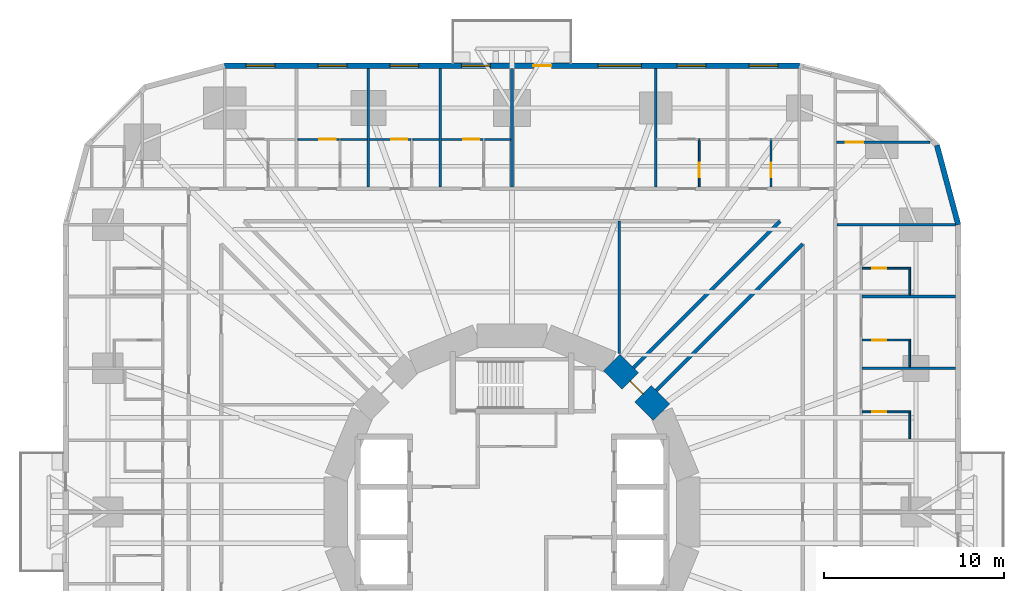
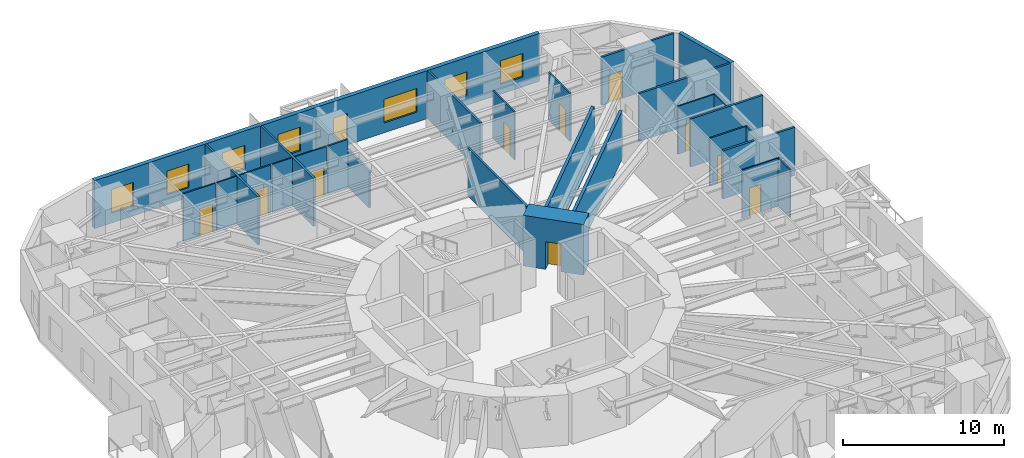
# One storey, part 11 of 14: 28 walls, 11 doors, 7 windows, 18 openings.
"""IFC4 building model written with IfcOpenShell, lengths in metres."""

from ifc_helpers import new_model, si_unit, direction, frame, frame_2d, origin, place, context, subcontext, project, spatial, rectangle, extrude, material, layer, layer_set, type_object, element, fill, save


model = new_model("IFC4")

# Units and contexts
model_context = context("Model", 3, precision=1e-05, world=origin(), true_north=direction((0.0, 1.0)))
body_context = subcontext(model_context, "Body", "Model", "MODEL_VIEW")
ifc_project = project(units=[si_unit("LENGTHUNIT", "METRE"), si_unit("AREAUNIT", "SQUARE_METRE"), si_unit("VOLUMEUNIT", "CUBIC_METRE"), si_unit("PLANEANGLEUNIT", "RADIAN"), si_unit("MASSUNIT", "GRAM", prefix="KILO")], contexts=[model_context])

# Site, building, storey
site_placement = place(None, origin())
site = spatial("IfcSite", under=ifc_project, at=site_placement, CompositionType="ELEMENT")
building_placement = place(site_placement, origin())
building = spatial("IfcBuilding", under=site, at=building_placement, Name="Nakasero Lantern House", CompositionType="ELEMENT")
storey_placement = place(building_placement, frame((0.0, 0.0, 19.85009765625)))
storey = spatial("IfcBuildingStorey", under=building, at=storey_placement, Name="L04", CompositionType="ELEMENT", Elevation=19.85009765625)

# Wall, opening, door
ifc_material_1 = material(Name="Concrete C50/60", Category="concrete")
ifc_layer_1 = layer(ifc_material_1, 1.300048828125)
ifc_layer_set_1 = layer_set([ifc_layer_1], Name="Core wall 1300")
wall_type_1 = type_object("IfcWallType", Name="Core wall 1300", PredefinedType="SHEAR", material=ifc_layer_set_1)
wall_1_placement = place(storey_placement, frame((8.314697265625, 5.5556640625, 0.0), z_axis=(0.0, 0.0, 1.0), x_axis=(-0.707106781187, 0.707106781187, 0.0)))
wall_1 = element("IfcWall", 1, at=wall_1_placement, inside=storey, type_object=wall_type_1, Name="Core wall L04 facet 2", PredefinedType="SHEAR", context=body_context, shape_type="SweptSolid", body=[
    extrude(rectangle(XDim=3.90185546875, YDim=1.300048828125, at=frame_2d((1.950927734375, 0.0))), origin(), (0.0, 0.0, 1.0), 3.849853515625),
])
opening_1_placement = place(wall_1_placement, frame((1.450927734375, 0.0, 0.0)))
opening_1 = element("IfcOpeningElement", 2, at=opening_1_placement, cuts=wall_1, Name="Opening D05", PredefinedType="OPENING", context=body_context, shape_type="SweptSolid", body=[
    extrude(rectangle(XDim=1.0, YDim=2.10009765625, at=frame_2d((0.5, 1.050048828125))), frame((0.0, 0.669921875, 0.0), z_axis=(0.0, -1.0, 0.0), x_axis=(1.0, 0.0, 0.0)), (0.0, 0.0, 1.0), 1.340087890625),
])
ifc_material_2 = material(Name="Timber C24", Category="wood")
door_type_1 = type_object("IfcDoorType", Name="Core door FD60S 1000", OperationType="SINGLE_SWING_LEFT", PredefinedType="DOOR", material=ifc_material_2)
door_1_placement = place(opening_1_placement, origin())
door_1 = element("IfcDoor", 3, at=door_1_placement, inside=storey, type_object=door_type_1, Name="Door L04 D-CORE02", OperationType="SINGLE_SWING_LEFT", OverallHeight=2.10009765625, OverallWidth=1.0, PredefinedType="DOOR", context=body_context, shape_type="SweptSolid", body=[
    extrude(rectangle(XDim=1.0, YDim=2.10009765625, at=frame_2d((0.5, 1.050048828125))), frame((0.0, 0.02490234375, 0.0), z_axis=(0.0, -1.0, 0.0), x_axis=(1.0, 0.0, 0.0)), (0.0, 0.0, 1.0), 0.050048828125),
])
fill(opening_1, door_1)

# Walls
ifc_material_3 = material(Name="Blockwork", Category="masonry")
ifc_layer_2 = layer(ifc_material_3, 0.199951171875)
ifc_layer_set_2 = layer_set([ifc_layer_2], Name="Corridor wall 200")
wall_type_2 = type_object("IfcWallType", Name="Corridor wall 200", PredefinedType="PARTITIONING", material=ifc_layer_set_2)
for number, where, z_axis, x_axis, name in (
    (4, (6.758544921875, 8.03125, 0.0), (0.0, 0.0, 1.0), (0.707106781187, 0.707106781187, 0.0), "Corridor wall L04 PS02a"),
    (5, (8.03125, 6.758544921875, 0.0), (0.0, 0.0, 1.0), (0.707106781187, 0.707106781187, 0.0), "Corridor wall L04 PS02b"),
):
    element("IfcWall", number, at=place(storey_placement, frame(where, z_axis=z_axis, x_axis=x_axis)), inside=storey, type_object=wall_type_2, Name=name, PredefinedType="PARTITIONING", context=body_context, shape_type="SweptSolid", body=[
        extrude(rectangle(XDim=11.55224609375, YDim=0.199951171875, at=frame_2d((5.776123046875, 0.0))), origin(), (0.0, 0.0, 1.0), 3.64990234375),
    ])

# Wall, opening, door
ifc_material_4 = material(Name="Blockwork", Category="masonry")
ifc_layer_3 = layer(ifc_material_4, 0.10009765625)
ifc_layer_set_3 = layer_set([ifc_layer_3], Name="En-suite wall 100")
wall_type_3 = type_object("IfcWallType", Name="En-suite wall 100", PredefinedType="PARTITIONING", material=ifc_layer_set_3)
wall_2_placement = place(storey_placement, frame((19.5, 5.574951171875, 0.0), z_axis=(0.0, 0.0, 1.0), x_axis=(1.0, 0.0, 0.0)))
wall_2 = element("IfcWall", 6, at=wall_2_placement, inside=storey, type_object=wall_type_3, Name="En-suite wall L04 ES0-06", PredefinedType="PARTITIONING", context=body_context, shape_type="SweptSolid", body=[
    extrude(rectangle(XDim=2.699951171875, YDim=0.10009765625, at=frame_2d((1.35009765625, 0.0))), origin(), (0.0, 0.0, 1.0), 3.64990234375),
])
opening_2_placement = place(wall_2_placement, frame((0.550048828125, 0.0, 0.0)))
opening_2 = element("IfcOpeningElement", 7, at=opening_2_placement, cuts=wall_2, Name="Opening D02", PredefinedType="OPENING", context=body_context, shape_type="SweptSolid", body=[
    extrude(rectangle(XDim=0.800048828125, YDim=2.10009765625, at=frame_2d((0.39990234375, 1.050048828125))), frame((0.0, 0.070068359375, 0.0), z_axis=(0.0, -1.0, 0.0), x_axis=(1.0, 0.0, 0.0)), (0.0, 0.0, 1.0), 0.14013671875),
])
ifc_material_5 = material(Name="Timber C24", Category="wood")
door_type_2 = type_object("IfcDoorType", Name="En-suite door 800", OperationType="SINGLE_SWING_RIGHT", PredefinedType="DOOR", material=ifc_material_5)
door_2_placement = place(opening_2_placement, origin())
door_2 = element("IfcDoor", 8, at=door_2_placement, inside=storey, type_object=door_type_2, Name="Door L04 DE0-06", OperationType="SINGLE_SWING_LEFT", OverallHeight=2.10009765625, OverallWidth=0.800048828125, PredefinedType="DOOR", context=body_context, shape_type="SweptSolid", body=[
    extrude(rectangle(XDim=0.800048828125, YDim=2.10009765625, at=frame_2d((0.39990234375, 1.050048828125))), frame((0.0, 0.02490234375, 0.0), z_axis=(0.0, -1.0, 0.0), x_axis=(1.0, 0.0, 0.0)), (0.0, 0.0, 1.0), 0.050048828125),
])
fill(opening_2, door_2)

# Wall
wall_3_placement = place(storey_placement, frame((22.14990234375, 4.074951171875, 0.0), z_axis=(0.0, 0.0, 1.0), x_axis=(0.0, 1.0, 0.0)))
element("IfcWall", 9, at=wall_3_placement, inside=storey, type_object=wall_type_3, Name="En-suite wall L04 EE0-06", PredefinedType="PARTITIONING", context=body_context, shape_type="SweptSolid", body=[
    extrude(rectangle(XDim=1.449951171875, YDim=0.10009765625, at=frame_2d((0.72509765625, 0.0))), origin(), (0.0, 0.0, 1.0), 3.64990234375),
])

# Wall, opening, door
wall_4_placement = place(storey_placement, frame((19.5, 9.574951171875, 0.0), z_axis=(0.0, 0.0, 1.0), x_axis=(1.0, 0.0, 0.0)))
wall_4 = element("IfcWall", 10, at=wall_4_placement, inside=storey, type_object=wall_type_3, Name="En-suite wall L04 ES0-07", PredefinedType="PARTITIONING", context=body_context, shape_type="SweptSolid", body=[
    extrude(rectangle(XDim=2.699951171875, YDim=0.10009765625, at=frame_2d((1.35009765625, 0.0))), origin(), (0.0, 0.0, 1.0), 3.64990234375),
])
opening_3_placement = place(wall_4_placement, frame((0.550048828125, 0.0, 0.0)))
opening_3 = element("IfcOpeningElement", 11, at=opening_3_placement, cuts=wall_4, Name="Opening D02", PredefinedType="OPENING", context=body_context, shape_type="SweptSolid", body=[
    extrude(rectangle(XDim=0.800048828125, YDim=2.10009765625, at=frame_2d((0.39990234375, 1.050048828125))), frame((0.0, 0.070068359375, 0.0), z_axis=(0.0, -1.0, 0.0), x_axis=(1.0, 0.0, 0.0)), (0.0, 0.0, 1.0), 0.14013671875),
])
door_3_placement = place(opening_3_placement, origin())
door_3 = element("IfcDoor", 12, at=door_3_placement, inside=storey, type_object=door_type_2, Name="Door L04 DE0-07", OperationType="SINGLE_SWING_LEFT", OverallHeight=2.10009765625, OverallWidth=0.800048828125, PredefinedType="DOOR", context=body_context, shape_type="SweptSolid", body=[
    extrude(rectangle(XDim=0.800048828125, YDim=2.10009765625, at=frame_2d((0.39990234375, 1.050048828125))), frame((0.0, 0.02490234375, 0.0), z_axis=(0.0, -1.0, 0.0), x_axis=(1.0, 0.0, 0.0)), (0.0, 0.0, 1.0), 0.050048828125),
])
fill(opening_3, door_3)

# Wall
wall_5_placement = place(storey_placement, frame((22.14990234375, 8.074951171875, 0.0), z_axis=(0.0, 0.0, 1.0), x_axis=(0.0, 1.0, 0.0)))
element("IfcWall", 13, at=wall_5_placement, inside=storey, type_object=wall_type_3, Name="En-suite wall L04 EE0-07", PredefinedType="PARTITIONING", context=body_context, shape_type="SweptSolid", body=[
    extrude(rectangle(XDim=1.449951171875, YDim=0.10009765625, at=frame_2d((0.72509765625, 0.0))), origin(), (0.0, 0.0, 1.0), 3.64990234375),
])

# Wall, opening, door
wall_6_placement = place(storey_placement, frame((19.5, 13.574951171875, 0.0), z_axis=(0.0, 0.0, 1.0), x_axis=(1.0, 0.0, 0.0)))
wall_6 = element("IfcWall", 14, at=wall_6_placement, inside=storey, type_object=wall_type_3, Name="En-suite wall L04 ES0-08", PredefinedType="PARTITIONING", context=body_context, shape_type="SweptSolid", body=[
    extrude(rectangle(XDim=2.699951171875, YDim=0.10009765625, at=frame_2d((1.35009765625, 0.0))), origin(), (0.0, 0.0, 1.0), 3.64990234375),
])
opening_4_placement = place(wall_6_placement, frame((0.550048828125, 0.0, 0.0)))
opening_4 = element("IfcOpeningElement", 15, at=opening_4_placement, cuts=wall_6, Name="Opening D02", PredefinedType="OPENING", context=body_context, shape_type="SweptSolid", body=[
    extrude(rectangle(XDim=0.800048828125, YDim=2.10009765625, at=frame_2d((0.39990234375, 1.050048828125))), frame((0.0, 0.070068359375, 0.0), z_axis=(0.0, -1.0, 0.0), x_axis=(1.0, 0.0, 0.0)), (0.0, 0.0, 1.0), 0.14013671875),
])
door_4_placement = place(opening_4_placement, origin())
door_4 = element("IfcDoor", 16, at=door_4_placement, inside=storey, type_object=door_type_2, Name="Door L04 DE0-08", OperationType="SINGLE_SWING_LEFT", OverallHeight=2.10009765625, OverallWidth=0.800048828125, PredefinedType="DOOR", context=body_context, shape_type="SweptSolid", body=[
    extrude(rectangle(XDim=0.800048828125, YDim=2.10009765625, at=frame_2d((0.39990234375, 1.050048828125))), frame((0.0, 0.02490234375, 0.0), z_axis=(0.0, -1.0, 0.0), x_axis=(1.0, 0.0, 0.0)), (0.0, 0.0, 1.0), 0.050048828125),
])
fill(opening_4, door_4)

# Wall
wall_7_placement = place(storey_placement, frame((22.14990234375, 12.074951171875, 0.0), z_axis=(0.0, 0.0, 1.0), x_axis=(0.0, 1.0, 0.0)))
element("IfcWall", 17, at=wall_7_placement, inside=storey, type_object=wall_type_3, Name="En-suite wall L04 EE0-08", PredefinedType="PARTITIONING", context=body_context, shape_type="SweptSolid", body=[
    extrude(rectangle(XDim=1.449951171875, YDim=0.10009765625, at=frame_2d((0.72509765625, 0.0))), origin(), (0.0, 0.0, 1.0), 3.64990234375),
])

# Wall, opening, door
wall_8_placement = place(storey_placement, frame((14.425048828125, 18.10009765625, 0.0), z_axis=(0.0, 0.0, 1.0), x_axis=(0.0, 1.0, 0.0)))
wall_8 = element("IfcWall", 18, at=wall_8_placement, inside=storey, type_object=wall_type_3, Name="En-suite wall L04 ES1-01", PredefinedType="PARTITIONING", context=body_context, shape_type="SweptSolid", body=[
    extrude(rectangle(XDim=2.699951171875, YDim=0.10009765625, at=frame_2d((1.35009765625, 0.0))), origin(), (0.0, 0.0, 1.0), 3.64990234375),
])
opening_5_placement = place(wall_8_placement, frame((0.550048828125, 0.0, 0.0)))
opening_5 = element("IfcOpeningElement", 19, at=opening_5_placement, cuts=wall_8, Name="Opening D02", PredefinedType="OPENING", context=body_context, shape_type="SweptSolid", body=[
    extrude(rectangle(XDim=0.800048828125, YDim=2.10009765625, at=frame_2d((0.39990234375, 1.050048828125))), frame((0.0, 0.070068359375, 0.0), z_axis=(0.0, -1.0, 0.0), x_axis=(1.0, 0.0, 0.0)), (0.0, 0.0, 1.0), 0.14013671875),
])
door_5_placement = place(opening_5_placement, origin())
door_5 = element("IfcDoor", 20, at=door_5_placement, inside=storey, type_object=door_type_2, Name="Door L04 DE1-01", OperationType="SINGLE_SWING_LEFT", OverallHeight=2.10009765625, OverallWidth=0.800048828125, PredefinedType="DOOR", context=body_context, shape_type="SweptSolid", body=[
    extrude(rectangle(XDim=0.800048828125, YDim=2.10009765625, at=frame_2d((0.39990234375, 1.050048828125))), frame((0.0, 0.02490234375, 0.0), z_axis=(0.0, -1.0, 0.0), x_axis=(1.0, 0.0, 0.0)), (0.0, 0.0, 1.0), 0.050048828125),
])
fill(opening_5, door_5)

wall_9_placement = place(storey_placement, frame((10.425048828125, 18.10009765625, 0.0), z_axis=(0.0, 0.0, 1.0), x_axis=(0.0, 1.0, 0.0)))
wall_9 = element("IfcWall", 21, at=wall_9_placement, inside=storey, type_object=wall_type_3, Name="En-suite wall L04 ES1-02", PredefinedType="PARTITIONING", context=body_context, shape_type="SweptSolid", body=[
    extrude(rectangle(XDim=2.699951171875, YDim=0.10009765625, at=frame_2d((1.35009765625, 0.0))), origin(), (0.0, 0.0, 1.0), 3.64990234375),
])
opening_6_placement = place(wall_9_placement, frame((0.550048828125, 0.0, 0.0)))
opening_6 = element("IfcOpeningElement", 22, at=opening_6_placement, cuts=wall_9, Name="Opening D02", PredefinedType="OPENING", context=body_context, shape_type="SweptSolid", body=[
    extrude(rectangle(XDim=0.800048828125, YDim=2.10009765625, at=frame_2d((0.39990234375, 1.050048828125))), frame((0.0, 0.070068359375, 0.0), z_axis=(0.0, -1.0, 0.0), x_axis=(1.0, 0.0, 0.0)), (0.0, 0.0, 1.0), 0.14013671875),
])
door_6_placement = place(opening_6_placement, origin())
door_6 = element("IfcDoor", 23, at=door_6_placement, inside=storey, type_object=door_type_2, Name="Door L04 DE1-02", OperationType="SINGLE_SWING_LEFT", OverallHeight=2.10009765625, OverallWidth=0.800048828125, PredefinedType="DOOR", context=body_context, shape_type="SweptSolid", body=[
    extrude(rectangle(XDim=0.800048828125, YDim=2.10009765625, at=frame_2d((0.39990234375, 1.050048828125))), frame((0.0, 0.02490234375, 0.0), z_axis=(0.0, -1.0, 0.0), x_axis=(1.0, 0.0, 0.0)), (0.0, 0.0, 1.0), 0.050048828125),
])
fill(opening_6, door_6)

# Walls
for number, where, z_axis, x_axis, name in (
    (24, (-0.074951171875, 20.75, 0.0), (0.0, 0.0, 1.0), (-1.0, 0.0, 0.0), "En-suite wall L04 EE1-05"),
    (25, (-4.074951171875, 20.75, 0.0), (0.0, 0.0, 1.0), (-1.0, 0.0, 0.0), "En-suite wall L04 EE1-06"),
    (26, (-8.074951171875, 20.75, 0.0), (0.0, 0.0, 1.0), (-1.0, 0.0, 0.0), "En-suite wall L04 EE1-07"),
):
    element("IfcWall", number, at=place(storey_placement, frame(where, z_axis=z_axis, x_axis=x_axis)), inside=storey, type_object=wall_type_3, Name=name, PredefinedType="PARTITIONING", context=body_context, shape_type="SweptSolid", body=[
        extrude(rectangle(XDim=1.449951171875, YDim=0.10009765625, at=frame_2d((0.72509765625, 0.0))), origin(), (0.0, 0.0, 1.0), 3.64990234375),
    ])

# Wall, opening, door
wall_10_placement = place(storey_placement, frame((-1.625, 20.75, 0.0), z_axis=(0.0, 0.0, 1.0), x_axis=(-1.0, 0.0, 0.0)))
wall_10 = element("IfcWall", 27, at=wall_10_placement, inside=storey, type_object=wall_type_3, Name="En-suite wall L04 EL1-05", PredefinedType="PARTITIONING", context=body_context, shape_type="SweptSolid", body=[
    extrude(rectangle(XDim=2.300048828125, YDim=0.10009765625, at=frame_2d((1.14990234375, 0.0))), origin(), (0.0, 0.0, 1.0), 3.64990234375),
])
opening_7_placement = place(wall_10_placement, frame((0.199951171875, 0.0, 0.0)))
opening_7 = element("IfcOpeningElement", 28, at=opening_7_placement, cuts=wall_10, Name="Opening D17", PredefinedType="OPENING", context=body_context, shape_type="SweptSolid", body=[
    extrude(rectangle(XDim=0.89990234375, YDim=2.10009765625, at=frame_2d((0.449951171875, 1.050048828125))), frame((0.0, 0.070068359375, 0.0), z_axis=(0.0, -1.0, 0.0), x_axis=(1.0, 0.0, 0.0)), (0.0, 0.0, 1.0), 0.14013671875),
])
ifc_material_6 = material(Name="Timber C24", Category="wood")
door_type_3 = type_object("IfcDoorType", Name="Bedroom door FD30S 900", OperationType="SINGLE_SWING_LEFT", PredefinedType="DOOR", material=ifc_material_6)
door_7_placement = place(opening_7_placement, origin())
door_7 = element("IfcDoor", 29, at=door_7_placement, inside=storey, type_object=door_type_3, Name="Door L04 DL1-05", OperationType="SINGLE_SWING_LEFT", OverallHeight=2.10009765625, OverallWidth=0.89990234375, PredefinedType="DOOR", context=body_context, shape_type="SweptSolid", body=[
    extrude(rectangle(XDim=0.89990234375, YDim=2.10009765625, at=frame_2d((0.449951171875, 1.050048828125))), frame((0.0, 0.02490234375, 0.0), z_axis=(0.0, -1.0, 0.0), x_axis=(1.0, 0.0, 0.0)), (0.0, 0.0, 1.0), 0.050048828125),
])
fill(opening_7, door_7)

wall_11_placement = place(storey_placement, frame((-5.625, 20.75, 0.0), z_axis=(0.0, 0.0, 1.0), x_axis=(-1.0, 0.0, 0.0)))
wall_11 = element("IfcWall", 30, at=wall_11_placement, inside=storey, type_object=wall_type_3, Name="En-suite wall L04 EL1-06", PredefinedType="PARTITIONING", context=body_context, shape_type="SweptSolid", body=[
    extrude(rectangle(XDim=2.300048828125, YDim=0.10009765625, at=frame_2d((1.14990234375, 0.0))), origin(), (0.0, 0.0, 1.0), 3.64990234375),
])
opening_8_placement = place(wall_11_placement, frame((0.199951171875, 0.0, 0.0)))
opening_8 = element("IfcOpeningElement", 31, at=opening_8_placement, cuts=wall_11, Name="Opening D17", PredefinedType="OPENING", context=body_context, shape_type="SweptSolid", body=[
    extrude(rectangle(XDim=0.89990234375, YDim=2.10009765625, at=frame_2d((0.449951171875, 1.050048828125))), frame((0.0, 0.070068359375, 0.0), z_axis=(0.0, -1.0, 0.0), x_axis=(1.0, 0.0, 0.0)), (0.0, 0.0, 1.0), 0.14013671875),
])
door_8_placement = place(opening_8_placement, origin())
door_8 = element("IfcDoor", 32, at=door_8_placement, inside=storey, type_object=door_type_3, Name="Door L04 DL1-06", OperationType="SINGLE_SWING_LEFT", OverallHeight=2.10009765625, OverallWidth=0.89990234375, PredefinedType="DOOR", context=body_context, shape_type="SweptSolid", body=[
    extrude(rectangle(XDim=0.89990234375, YDim=2.10009765625, at=frame_2d((0.449951171875, 1.050048828125))), frame((0.0, 0.02490234375, 0.0), z_axis=(0.0, -1.0, 0.0), x_axis=(1.0, 0.0, 0.0)), (0.0, 0.0, 1.0), 0.050048828125),
])
fill(opening_8, door_8)

wall_12_placement = place(storey_placement, frame((-9.625, 20.75, 0.0), z_axis=(0.0, 0.0, 1.0), x_axis=(-1.0, 0.0, 0.0)))
wall_12 = element("IfcWall", 33, at=wall_12_placement, inside=storey, type_object=wall_type_3, Name="En-suite wall L04 EL1-07", PredefinedType="PARTITIONING", context=body_context, shape_type="SweptSolid", body=[
    extrude(rectangle(XDim=2.300048828125, YDim=0.10009765625, at=frame_2d((1.14990234375, 0.0))), origin(), (0.0, 0.0, 1.0), 3.64990234375),
])
opening_9_placement = place(wall_12_placement, frame((0.199951171875, 0.0, 0.0)))
opening_9 = element("IfcOpeningElement", 34, at=opening_9_placement, cuts=wall_12, Name="Opening D17", PredefinedType="OPENING", context=body_context, shape_type="SweptSolid", body=[
    extrude(rectangle(XDim=0.89990234375, YDim=2.10009765625, at=frame_2d((0.449951171875, 1.050048828125))), frame((0.0, 0.070068359375, 0.0), z_axis=(0.0, -1.0, 0.0), x_axis=(1.0, 0.0, 0.0)), (0.0, 0.0, 1.0), 0.14013671875),
])
door_9_placement = place(opening_9_placement, origin())
door_9 = element("IfcDoor", 35, at=door_9_placement, inside=storey, type_object=door_type_3, Name="Door L04 DL1-07", OperationType="SINGLE_SWING_LEFT", OverallHeight=2.10009765625, OverallWidth=0.89990234375, PredefinedType="DOOR", context=body_context, shape_type="SweptSolid", body=[
    extrude(rectangle(XDim=0.89990234375, YDim=2.10009765625, at=frame_2d((0.449951171875, 1.050048828125))), frame((0.0, 0.02490234375, 0.0), z_axis=(0.0, -1.0, 0.0), x_axis=(1.0, 0.0, 0.0)), (0.0, 0.0, 1.0), 0.050048828125),
])
fill(opening_9, door_9)

# Wall
ifc_material_7 = material(Name="Aluminium rainscreen on blockwork", Category="masonry")
ifc_layer_4 = layer(ifc_material_7, 0.300048828125)
ifc_layer_set_4 = layer_set([ifc_layer_4], Name="Facade wall 300")
wall_type_4 = type_object("IfcWallType", Name="Facade wall 300", PredefinedType="SOLIDWALL", material=ifc_layer_set_4)
wall_13_placement = place(storey_placement, frame((24.85009765625, 16.0, 0.0), z_axis=(0.0, 0.0, 1.0), x_axis=(-0.258839972501, 0.965920218567, 0.0)))
element("IfcWall", 36, at=wall_13_placement, inside=storey, type_object=wall_type_4, Name="Facade wall L04 FW0C1", PredefinedType="SOLIDWALL", context=body_context, shape_type="SweptSolid", body=[
    extrude(rectangle(XDim=4.5810546875, YDim=0.300048828125, at=frame_2d((2.29052734375, 0.0))), origin(), (0.0, 0.0, 1.0), 3.64990234375),
])

# Wall, openings, door, windows
wall_14_placement = place(storey_placement, frame((16.0, 24.85009765625, 0.0), z_axis=(0.0, 0.0, 1.0), x_axis=(-1.0, 0.0, 0.0)))
wall_14 = element("IfcWall", 37, at=wall_14_placement, inside=storey, type_object=wall_type_4, Name="Facade wall L04 FW1S", PredefinedType="SOLIDWALL", context=body_context, shape_type="SweptSolid", body=[
    extrude(rectangle(XDim=32.0, YDim=0.300048828125, at=frame_2d((16.0, 0.0))), origin(), (0.0, 0.0, 1.0), 3.64990234375),
])
opening_10_placement = place(wall_14_placement, frame((1.199951171875, 0.0, 0.75)))
opening_10 = element("IfcOpeningElement", 38, at=opening_10_placement, cuts=wall_14, Name="Opening W01", PredefinedType="OPENING", context=body_context, shape_type="SweptSolid", body=[
    extrude(rectangle(XDim=1.60009765625, YDim=1.800048828125, at=frame_2d((0.800048828125, 0.89990234375))), frame((0.0, 0.169921875, 0.0), z_axis=(0.0, -1.0, 0.0), x_axis=(1.0, 0.0, 0.0)), (0.0, 0.0, 1.0), 0.340087890625),
])
opening_11_placement = place(wall_14_placement, frame((5.199951171875, 0.0, 0.75)))
opening_11 = element("IfcOpeningElement", 39, at=opening_11_placement, cuts=wall_14, Name="Opening W01", PredefinedType="OPENING", context=body_context, shape_type="SweptSolid", body=[
    extrude(rectangle(XDim=1.60009765625, YDim=1.800048828125, at=frame_2d((0.800048828125, 0.89990234375))), frame((0.0, 0.169921875, 0.0), z_axis=(0.0, -1.0, 0.0), x_axis=(1.0, 0.0, 0.0)), (0.0, 0.0, 1.0), 0.340087890625),
])
opening_12_placement = place(wall_14_placement, frame((17.199951171875, 0.0, 0.75)))
opening_12 = element("IfcOpeningElement", 40, at=opening_12_placement, cuts=wall_14, Name="Opening W01", PredefinedType="OPENING", context=body_context, shape_type="SweptSolid", body=[
    extrude(rectangle(XDim=1.60009765625, YDim=1.800048828125, at=frame_2d((0.800048828125, 0.89990234375))), frame((0.0, 0.169921875, 0.0), z_axis=(0.0, -1.0, 0.0), x_axis=(1.0, 0.0, 0.0)), (0.0, 0.0, 1.0), 0.340087890625),
])
opening_13_placement = place(wall_14_placement, frame((21.199951171875, 0.0, 0.75)))
opening_13 = element("IfcOpeningElement", 41, at=opening_13_placement, cuts=wall_14, Name="Opening W01", PredefinedType="OPENING", context=body_context, shape_type="SweptSolid", body=[
    extrude(rectangle(XDim=1.60009765625, YDim=1.800048828125, at=frame_2d((0.800048828125, 0.89990234375))), frame((0.0, 0.169921875, 0.0), z_axis=(0.0, -1.0, 0.0), x_axis=(1.0, 0.0, 0.0)), (0.0, 0.0, 1.0), 0.340087890625),
])
opening_14_placement = place(wall_14_placement, frame((25.199951171875, 0.0, 0.75)))
opening_14 = element("IfcOpeningElement", 42, at=opening_14_placement, cuts=wall_14, Name="Opening W01", PredefinedType="OPENING", context=body_context, shape_type="SweptSolid", body=[
    extrude(rectangle(XDim=1.60009765625, YDim=1.800048828125, at=frame_2d((0.800048828125, 0.89990234375))), frame((0.0, 0.169921875, 0.0), z_axis=(0.0, -1.0, 0.0), x_axis=(1.0, 0.0, 0.0)), (0.0, 0.0, 1.0), 0.340087890625),
])
opening_15_placement = place(wall_14_placement, frame((29.199951171875, 0.0, 0.75)))
opening_15 = element("IfcOpeningElement", 43, at=opening_15_placement, cuts=wall_14, Name="Opening W01", PredefinedType="OPENING", context=body_context, shape_type="SweptSolid", body=[
    extrude(rectangle(XDim=1.60009765625, YDim=1.800048828125, at=frame_2d((0.800048828125, 0.89990234375))), frame((0.0, 0.169921875, 0.0), z_axis=(0.0, -1.0, 0.0), x_axis=(1.0, 0.0, 0.0)), (0.0, 0.0, 1.0), 0.340087890625),
])
opening_16_placement = place(wall_14_placement, frame((8.800048828125, 0.0, 0.75)))
opening_16 = element("IfcOpeningElement", 44, at=opening_16_placement, cuts=wall_14, Name="Opening W03", PredefinedType="OPENING", context=body_context, shape_type="SweptSolid", body=[
    extrude(rectangle(XDim=2.39990234375, YDim=1.800048828125, at=frame_2d((1.199951171875, 0.89990234375))), frame((0.0, 0.169921875, 0.0), z_axis=(0.0, -1.0, 0.0), x_axis=(1.0, 0.0, 0.0)), (0.0, 0.0, 1.0), 0.340087890625),
])
opening_17_placement = place(wall_14_placement, frame((13.8125, 0.0, 0.0)))
opening_17 = element("IfcOpeningElement", 45, at=opening_17_placement, cuts=wall_14, Name="Opening D04", PredefinedType="OPENING", context=body_context, shape_type="SweptSolid", body=[
    extrude(rectangle(XDim=1.0, YDim=2.39990234375, at=frame_2d((0.5, 1.199951171875))), frame((0.0, 0.169921875, 0.0), z_axis=(0.0, -1.0, 0.0), x_axis=(1.0, 0.0, 0.0)), (0.0, 0.0, 1.0), 0.340087890625),
])
ifc_material_8 = material(Name="Aluminium 6063-T6 and glass", Category="aluminium")
door_type_4 = type_object("IfcDoorType", Name="Balcony door 1000x2400", OperationType="SINGLE_SWING_RIGHT", PredefinedType="DOOR", material=ifc_material_8)
door_10_placement = place(opening_17_placement, origin())
door_10 = element("IfcDoor", 46, at=door_10_placement, inside=storey, type_object=door_type_4, Name="Balcony door L04 DB1", OperationType="SINGLE_SWING_RIGHT", OverallHeight=2.39990234375, OverallWidth=1.0, PredefinedType="DOOR", context=body_context, shape_type="SweptSolid", body=[
    extrude(rectangle(XDim=1.0, YDim=2.39990234375, at=frame_2d((0.5, 1.199951171875))), frame((0.0, 0.02490234375, 0.0), z_axis=(0.0, -1.0, 0.0), x_axis=(1.0, 0.0, 0.0)), (0.0, 0.0, 1.0), 0.050048828125),
])
fill(opening_17, door_10)
ifc_material_9 = material(Name="Aluminium 6063-T6 and glass", Category="aluminium")
window_type_1 = type_object("IfcWindowType", Name="Bedroom window 1600x1800", PartitioningType="SINGLE_PANEL", PredefinedType="WINDOW", material=ifc_material_9)
window_1_placement = place(opening_10_placement, origin())
window_1 = element("IfcWindow", 47, at=window_1_placement, inside=storey, type_object=window_type_1, Name="Window L04 WN1-01", OverallHeight=1.800048828125, OverallWidth=1.60009765625, PartitioningType="SINGLE_PANEL", PredefinedType="WINDOW", context=body_context, shape_type="SweptSolid", body=[
    extrude(rectangle(XDim=1.60009765625, YDim=1.800048828125, at=frame_2d((0.800048828125, 0.89990234375))), frame((0.0, 0.030029296875, 0.0), z_axis=(0.0, -1.0, 0.0), x_axis=(1.0, 0.0, 0.0)), (0.0, 0.0, 1.0), 0.06005859375),
])
fill(opening_10, window_1)
window_2_placement = place(opening_11_placement, origin())
window_2 = element("IfcWindow", 48, at=window_2_placement, inside=storey, type_object=window_type_1, Name="Window L04 WN1-02", OverallHeight=1.800048828125, OverallWidth=1.60009765625, PartitioningType="SINGLE_PANEL", PredefinedType="WINDOW", context=body_context, shape_type="SweptSolid", body=[
    extrude(rectangle(XDim=1.60009765625, YDim=1.800048828125, at=frame_2d((0.800048828125, 0.89990234375))), frame((0.0, 0.030029296875, 0.0), z_axis=(0.0, -1.0, 0.0), x_axis=(1.0, 0.0, 0.0)), (0.0, 0.0, 1.0), 0.06005859375),
])
fill(opening_11, window_2)
window_3_placement = place(opening_12_placement, origin())
window_3 = element("IfcWindow", 49, at=window_3_placement, inside=storey, type_object=window_type_1, Name="Window L04 WN1-05", OverallHeight=1.800048828125, OverallWidth=1.60009765625, PartitioningType="SINGLE_PANEL", PredefinedType="WINDOW", context=body_context, shape_type="SweptSolid", body=[
    extrude(rectangle(XDim=1.60009765625, YDim=1.800048828125, at=frame_2d((0.800048828125, 0.89990234375))), frame((0.0, 0.030029296875, 0.0), z_axis=(0.0, -1.0, 0.0), x_axis=(1.0, 0.0, 0.0)), (0.0, 0.0, 1.0), 0.06005859375),
])
fill(opening_12, window_3)
window_4_placement = place(opening_13_placement, origin())
window_4 = element("IfcWindow", 50, at=window_4_placement, inside=storey, type_object=window_type_1, Name="Window L04 WN1-06", OverallHeight=1.800048828125, OverallWidth=1.60009765625, PartitioningType="SINGLE_PANEL", PredefinedType="WINDOW", context=body_context, shape_type="SweptSolid", body=[
    extrude(rectangle(XDim=1.60009765625, YDim=1.800048828125, at=frame_2d((0.800048828125, 0.89990234375))), frame((0.0, 0.030029296875, 0.0), z_axis=(0.0, -1.0, 0.0), x_axis=(1.0, 0.0, 0.0)), (0.0, 0.0, 1.0), 0.06005859375),
])
fill(opening_13, window_4)
window_5_placement = place(opening_14_placement, origin())
window_5 = element("IfcWindow", 51, at=window_5_placement, inside=storey, type_object=window_type_1, Name="Window L04 WN1-07", OverallHeight=1.800048828125, OverallWidth=1.60009765625, PartitioningType="SINGLE_PANEL", PredefinedType="WINDOW", context=body_context, shape_type="SweptSolid", body=[
    extrude(rectangle(XDim=1.60009765625, YDim=1.800048828125, at=frame_2d((0.800048828125, 0.89990234375))), frame((0.0, 0.030029296875, 0.0), z_axis=(0.0, -1.0, 0.0), x_axis=(1.0, 0.0, 0.0)), (0.0, 0.0, 1.0), 0.06005859375),
])
fill(opening_14, window_5)
window_6_placement = place(opening_15_placement, origin())
window_6 = element("IfcWindow", 52, at=window_6_placement, inside=storey, type_object=window_type_1, Name="Window L04 WN1-08", OverallHeight=1.800048828125, OverallWidth=1.60009765625, PartitioningType="SINGLE_PANEL", PredefinedType="WINDOW", context=body_context, shape_type="SweptSolid", body=[
    extrude(rectangle(XDim=1.60009765625, YDim=1.800048828125, at=frame_2d((0.800048828125, 0.89990234375))), frame((0.0, 0.030029296875, 0.0), z_axis=(0.0, -1.0, 0.0), x_axis=(1.0, 0.0, 0.0)), (0.0, 0.0, 1.0), 0.06005859375),
])
fill(opening_15, window_6)
ifc_material_10 = material(Name="Aluminium 6063-T6 and glass", Category="aluminium")
window_type_2 = type_object("IfcWindowType", Name="Lounge window 2400x1800", PartitioningType="SINGLE_PANEL", PredefinedType="WINDOW", material=ifc_material_10)
window_7_placement = place(opening_16_placement, origin())
window_7 = element("IfcWindow", 53, at=window_7_placement, inside=storey, type_object=window_type_2, Name="Window L04 WK1", OverallHeight=1.800048828125, OverallWidth=2.39990234375, PartitioningType="SINGLE_PANEL", PredefinedType="WINDOW", context=body_context, shape_type="SweptSolid", body=[
    extrude(rectangle(XDim=2.39990234375, YDim=1.800048828125, at=frame_2d((1.199951171875, 0.89990234375))), frame((0.0, 0.030029296875, 0.0), z_axis=(0.0, -1.0, 0.0), x_axis=(1.0, 0.0, 0.0)), (0.0, 0.0, 1.0), 0.06005859375),
])
fill(opening_16, window_7)

# Walls
ifc_material_11 = material(Name="Blockwork", Category="masonry")
ifc_layer_5 = layer(ifc_material_11, 0.14990234375)
ifc_layer_set_5 = layer_set([ifc_layer_5], Name="Party wall 150")
wall_type_5 = type_object("IfcWallType", Name="Party wall 150", PredefinedType="PARTITIONING", material=ifc_layer_set_5)
for number, where, z_axis, x_axis, name in (
    (54, (19.5, 8.0, 0.0), (0.0, 0.0, 1.0), (1.0, 0.0, 0.0), "Party wall L04 PW0-07"),
    (55, (19.5, 12.0, 0.0), (0.0, 0.0, 1.0), (1.0, 0.0, 0.0), "Party wall L04 PW0-08"),
):
    element("IfcWall", number, at=place(storey_placement, frame(where, z_axis=z_axis, x_axis=x_axis)), inside=storey, type_object=wall_type_5, Name=name, PredefinedType="PARTITIONING", context=body_context, shape_type="SweptSolid", body=[
        extrude(rectangle(XDim=5.199951171875, YDim=0.14990234375, at=frame_2d((2.60009765625, 0.0))), origin(), (0.0, 0.0, 1.0), 3.64990234375),
    ])
wall_15_placement = place(storey_placement, frame((18.10009765625, 16.0, 0.0), z_axis=(0.0, 0.0, 1.0), x_axis=(1.0, 0.0, 0.0)))
element("IfcWall", 56, at=wall_15_placement, inside=storey, type_object=wall_type_5, Name="Party wall L04 PW0-09", PredefinedType="PARTITIONING", context=body_context, shape_type="SweptSolid", body=[
    extrude(rectangle(XDim=6.58935546875, YDim=0.14990234375, at=frame_2d((3.294677734375, 0.0))), origin(), (0.0, 0.0, 1.0), 3.64990234375),
])

# Wall, opening, door
wall_16_placement = place(storey_placement, frame((18.06494140625, 20.59619140625, 0.0), z_axis=(0.0, 0.0, 1.0), x_axis=(1.0, 0.0, 0.0)))
wall_16 = element("IfcWall", 57, at=wall_16_placement, inside=storey, type_object=wall_type_5, Name="Party wall L04 PC0", PredefinedType="PARTITIONING", context=body_context, shape_type="SweptSolid", body=[
    extrude(rectangle(XDim=5.208740234375, YDim=0.14990234375, at=frame_2d((2.6044921875, 0.0))), origin(), (0.0, 0.0, 1.0), 3.64990234375),
])
opening_18_placement = place(wall_16_placement, frame((0.534912109375, 0.0, 0.0)))
opening_18 = element("IfcOpeningElement", 58, at=opening_18_placement, cuts=wall_16, Name="Opening D01", PredefinedType="OPENING", context=body_context, shape_type="SweptSolid", body=[
    extrude(rectangle(XDim=0.949951171875, YDim=2.10009765625, at=frame_2d((0.47509765625, 1.050048828125))), frame((0.0, 0.094970703125, 0.0), z_axis=(0.0, -1.0, 0.0), x_axis=(1.0, 0.0, 0.0)), (0.0, 0.0, 1.0), 0.18994140625),
])
ifc_material_12 = material(Name="Timber C24", Category="wood")
door_type_5 = type_object("IfcDoorType", Name="Bedroom door FD30S 950", OperationType="SINGLE_SWING_LEFT", PredefinedType="DOOR", material=ifc_material_12)
door_11_placement = place(opening_18_placement, origin())
door_11 = element("IfcDoor", 59, at=door_11_placement, inside=storey, type_object=door_type_5, Name="Door L04 DC0", OperationType="SINGLE_SWING_LEFT", OverallHeight=2.10009765625, OverallWidth=0.949951171875, PredefinedType="DOOR", context=body_context, shape_type="SweptSolid", body=[
    extrude(rectangle(XDim=0.949951171875, YDim=2.10009765625, at=frame_2d((0.47509765625, 1.050048828125))), frame((0.0, 0.02490234375, 0.0), z_axis=(0.0, -1.0, 0.0), x_axis=(1.0, 0.0, 0.0)), (0.0, 0.0, 1.0), 0.050048828125),
])
fill(opening_18, door_11)

# Walls
wall_17_placement = place(storey_placement, frame((8.0, 18.10009765625, 0.0), z_axis=(0.0, 0.0, 1.0), x_axis=(0.0, 1.0, 0.0)))
element("IfcWall", 60, at=wall_17_placement, inside=storey, type_object=wall_type_5, Name="Party wall L04 PW1-03", PredefinedType="PARTITIONING", context=body_context, shape_type="SweptSolid", body=[
    extrude(rectangle(XDim=6.599853515625, YDim=0.14990234375, at=frame_2d((3.2998046875, 0.0))), origin(), (0.0, 0.0, 1.0), 3.64990234375),
])
wall_18_placement = place(storey_placement, frame((0.0, 18.10009765625, 0.0), z_axis=(0.0, 0.0, 1.0), x_axis=(0.0, 1.0, 0.0)))
element("IfcWall", 61, at=wall_18_placement, inside=storey, type_object=wall_type_5, Name="Party wall L04 PW1-05", PredefinedType="PARTITIONING", context=body_context, shape_type="SweptSolid", body=[
    extrude(rectangle(XDim=6.599853515625, YDim=0.14990234375, at=frame_2d((3.2998046875, 0.0))), origin(), (0.0, 0.0, 1.0), 2.80908203125),
])
for number, where, z_axis, x_axis, name in (
    (62, (-4.0, 18.10009765625, 0.0), (0.0, 0.0, 1.0), (0.0, 1.0, 0.0), "Party wall L04 PW1-06"),
    (63, (-8.0, 18.10009765625, 0.0), (0.0, 0.0, 1.0), (0.0, 1.0, 0.0), "Party wall L04 PW1-07"),
):
    element("IfcWall", number, at=place(storey_placement, frame(where, z_axis=z_axis, x_axis=x_axis)), inside=storey, type_object=wall_type_5, Name=name, PredefinedType="PARTITIONING", context=body_context, shape_type="SweptSolid", body=[
        extrude(rectangle(XDim=6.599853515625, YDim=0.14990234375, at=frame_2d((3.2998046875, 0.0))), origin(), (0.0, 0.0, 1.0), 3.64990234375),
    ])
wall_19_placement = place(storey_placement, frame((5.970947265625, 8.81884765625, 0.0), z_axis=(0.0, 0.0, 1.0), x_axis=(0.0, 1.0, 0.0)))
element("IfcWall", 64, at=wall_19_placement, inside=storey, type_object=wall_type_5, Name="Party wall L04 IS2", PredefinedType="PARTITIONING", context=body_context, shape_type="SweptSolid", body=[
    extrude(rectangle(XDim=7.381103515625, YDim=0.14990234375, at=frame_2d((3.6904296875, 0.0))), origin(), (0.0, 0.0, 1.0), 3.64990234375),
])

save(model, "model.ifc")
